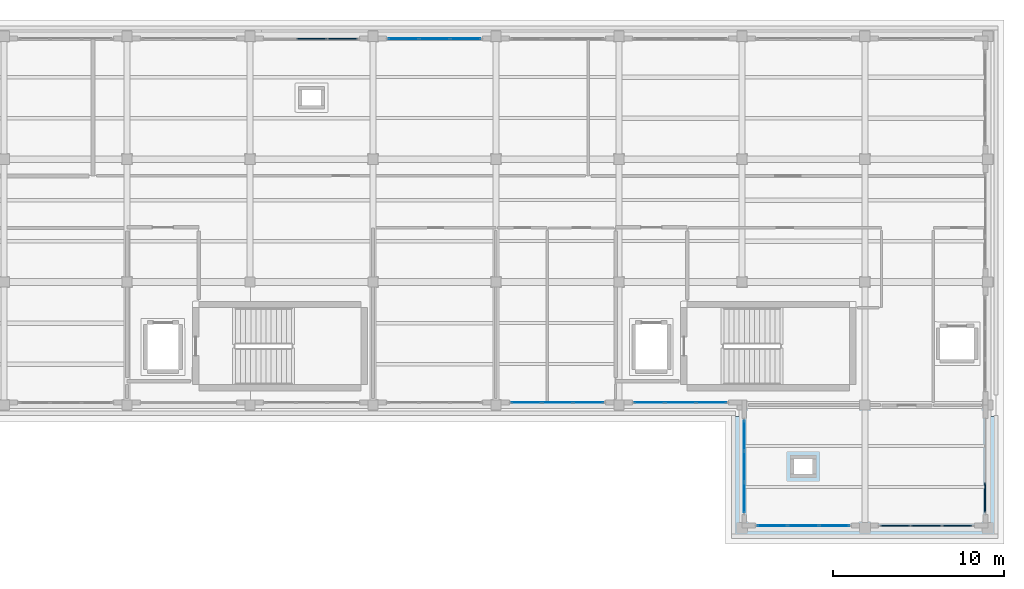
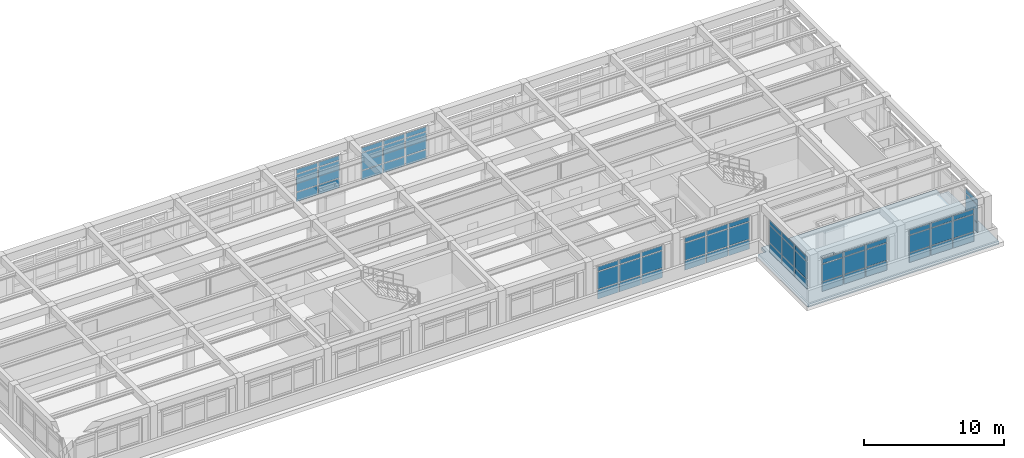
# One storey, part 12 of 19: 63 plates, 1 slab, 8 elements without a shape of their own.
"""IFC4 building model written with IfcOpenShell, lengths in metres."""

from ifc_helpers import new_model, si_unit, direction, frame, origin, origin_2d, place, context, subcontext, project, spatial, polyline, rectangle, outline, extrude, material, layer, layer_set, type_object, element, aggregate, save


model = new_model("IFC4")

# Units and contexts
model_context = context("Model", 3, precision=1e-05, world=origin(), true_north=direction((0.0, 1.0)))
body_context = subcontext(model_context, "Body", "Model", "MODEL_VIEW")
ifc_project = project(units=[si_unit("LENGTHUNIT", "METRE"), si_unit("AREAUNIT", "SQUARE_METRE"), si_unit("VOLUMEUNIT", "CUBIC_METRE"), si_unit("PLANEANGLEUNIT", "RADIAN"), si_unit("MASSUNIT", "GRAM", prefix="KILO")], contexts=[model_context])

# Site, building, storey
site_placement = place(None, origin())
site = spatial("IfcSite", under=ifc_project, at=site_placement, CompositionType="ELEMENT")
building_placement = place(site_placement, origin())
building = spatial("IfcBuilding", under=site, at=building_placement, Name="Solenvale Faculty of Natural Sciences", CompositionType="ELEMENT")
storey_placement = place(building_placement, frame((0.0, 0.0, 27.0)))
storey = spatial("IfcBuildingStorey", under=building, at=storey_placement, Name="L06", CompositionType="ELEMENT", Elevation=27.0)

# Curtain wall, plates
ifc_material_1 = material(Name="Anodised bronze aluminium", Category="aluminium")
ifc_layer_1 = layer(ifc_material_1, 0.179931640625)
ifc_layer_set_1 = layer_set([ifc_layer_1], Name="Anodised bronze aluminium")
curtain_wall_type = type_object("IfcCurtainWallType", Name="CW-TWR-MOD", PredefinedType="USERDEFINED", material=ifc_layer_set_1)
curtain_wall_1_placement = place(storey_placement, origin())
curtain_wall_1 = element("IfcCurtainWall", 1, at=curtain_wall_1_placement, inside=storey, type_object=curtain_wall_type, Name="L06 Curtain Wall CW-L06-P1-E4-B7", ObjectType="UNITISED CURTAIN WALL", PredefinedType="USERDEFINED")
ifc_material_2 = material(Name="Triple low-E insulated glass", Category="glass")
ifc_layer_2 = layer(ifc_material_2, 0.035888671875)
ifc_layer_set_2 = layer_set([ifc_layer_2], Name="Triple low-E insulated glass")
plate_type_1 = type_object("IfcPlateType", Name="CWP-PNL-36", PredefinedType="CURTAIN_PANEL", material=ifc_layer_set_2)
plate_1_placement = place(storey_placement, frame((124.185302734375, 93.742431640625, 0.074951171875), z_axis=(0.0, 0.0, 1.0), x_axis=(1.0, 0.0, 0.0)))
plate_1 = element("IfcPlate", 2, at=plate_1_placement, type_object=plate_type_1, Name="CW-04 panel 1.1", PredefinedType="CURTAIN_PANEL", context=body_context, shape_type="SweptSolid", body=[
    extrude(rectangle(XDim=1.720947265625, YDim=0.035888671875, at=origin_2d()), origin(), (0.0, 0.0, 1.0), 0.78759765625),
])
plate_2_placement = place(storey_placement, frame((124.185302734375, 93.742431640625, 0.9375), z_axis=(0.0, 0.0, 1.0), x_axis=(1.0, 0.0, 0.0)))
plate_2 = element("IfcPlate", 3, at=plate_2_placement, type_object=plate_type_1, Name="CW-04 panel 1.2", PredefinedType="CURTAIN_PANEL", context=body_context, shape_type="SweptSolid", body=[
    extrude(rectangle(XDim=1.720947265625, YDim=0.035888671875, at=origin_2d()), origin(), (0.0, 0.0, 1.0), 1.485107421875),
])
plate_3_placement = place(storey_placement, frame((124.185302734375, 93.742431640625, 2.49755859375), z_axis=(0.0, 0.0, 1.0), x_axis=(1.0, 0.0, 0.0)))
plate_3 = element("IfcPlate", 4, at=plate_3_placement, type_object=plate_type_1, Name="CW-04 panel 1.3", PredefinedType="CURTAIN_PANEL", context=body_context, shape_type="SweptSolid", body=[
    extrude(rectangle(XDim=1.720947265625, YDim=0.035888671875, at=origin_2d()), origin(), (0.0, 0.0, 1.0), 0.387451171875),
])
plate_4_placement = place(storey_placement, frame((126.0, 93.742431640625, 0.074951171875), z_axis=(0.0, 0.0, 1.0), x_axis=(1.0, 0.0, 0.0)))
plate_4 = element("IfcPlate", 5, at=plate_4_placement, type_object=plate_type_1, Name="CW-04 panel 2.1", PredefinedType="CURTAIN_PANEL", context=body_context, shape_type="SweptSolid", body=[
    extrude(rectangle(XDim=1.75830078125, YDim=0.035888671875, at=origin_2d()), origin(), (0.0, 0.0, 1.0), 0.78759765625),
])
plate_5_placement = place(storey_placement, frame((126.0, 93.742431640625, 0.9375), z_axis=(0.0, 0.0, 1.0), x_axis=(1.0, 0.0, 0.0)))
plate_5 = element("IfcPlate", 6, at=plate_5_placement, type_object=plate_type_1, Name="CW-04 panel 2.2", PredefinedType="CURTAIN_PANEL", context=body_context, shape_type="SweptSolid", body=[
    extrude(rectangle(XDim=1.75830078125, YDim=0.035888671875, at=origin_2d()), origin(), (0.0, 0.0, 1.0), 1.485107421875),
])
plate_6_placement = place(storey_placement, frame((126.0, 93.742431640625, 2.49755859375), z_axis=(0.0, 0.0, 1.0), x_axis=(1.0, 0.0, 0.0)))
plate_6 = element("IfcPlate", 7, at=plate_6_placement, type_object=plate_type_1, Name="CW-04 panel 2.3", PredefinedType="CURTAIN_PANEL", context=body_context, shape_type="SweptSolid", body=[
    extrude(rectangle(XDim=1.75830078125, YDim=0.035888671875, at=origin_2d()), origin(), (0.0, 0.0, 1.0), 0.387451171875),
])
plate_7_placement = place(storey_placement, frame((127.814697265625, 93.742431640625, 0.074951171875), z_axis=(0.0, 0.0, 1.0), x_axis=(1.0, 0.0, 0.0)))
plate_7 = element("IfcPlate", 8, at=plate_7_placement, type_object=plate_type_1, Name="CW-04 panel 3.1", PredefinedType="CURTAIN_PANEL", context=body_context, shape_type="SweptSolid", body=[
    extrude(rectangle(XDim=1.720947265625, YDim=0.035888671875, at=origin_2d()), origin(), (0.0, 0.0, 1.0), 0.78759765625),
])
plate_8_placement = place(storey_placement, frame((127.814697265625, 93.742431640625, 0.9375), z_axis=(0.0, 0.0, 1.0), x_axis=(1.0, 0.0, 0.0)))
plate_8 = element("IfcPlate", 9, at=plate_8_placement, type_object=plate_type_1, Name="CW-04 panel 3.2", PredefinedType="CURTAIN_PANEL", context=body_context, shape_type="SweptSolid", body=[
    extrude(rectangle(XDim=1.720947265625, YDim=0.035888671875, at=origin_2d()), origin(), (0.0, 0.0, 1.0), 1.485107421875),
])
plate_9_placement = place(storey_placement, frame((127.814697265625, 93.742431640625, 2.49755859375), z_axis=(0.0, 0.0, 1.0), x_axis=(1.0, 0.0, 0.0)))
plate_9 = element("IfcPlate", 10, at=plate_9_placement, type_object=plate_type_1, Name="CW-04 panel 3.3", PredefinedType="CURTAIN_PANEL", context=body_context, shape_type="SweptSolid", body=[
    extrude(rectangle(XDim=1.720947265625, YDim=0.035888671875, at=origin_2d()), origin(), (0.0, 0.0, 1.0), 0.387451171875),
])
aggregate(curtain_wall_1, [plate_1, plate_2, plate_3, plate_4, plate_5, plate_6, plate_7, plate_8, plate_9])

curtain_wall_2_placement = place(storey_placement, origin())
curtain_wall_2 = element("IfcCurtainWall", 11, at=curtain_wall_2_placement, inside=storey, type_object=curtain_wall_type, Name="L06 Curtain Wall CW-L06-P1-E4-B8", ObjectType="UNITISED CURTAIN WALL", PredefinedType="USERDEFINED")
ifc_layer_3 = layer(ifc_material_2, 0.0400390625)
ifc_layer_set_3 = layer_set([ifc_layer_3], Name="Triple low-E insulated glass")
plate_type_2 = type_object("IfcPlateType", Name="CWP-PNL-40", PredefinedType="CURTAIN_PANEL", material=ifc_layer_set_3)
plate_10_placement = place(storey_placement, frame((131.385498046875, 93.742431640625, 0.074951171875), z_axis=(0.0, 0.0, 1.0), x_axis=(1.0, 0.0, 0.0)))
plate_10 = element("IfcPlate", 12, at=plate_10_placement, type_object=plate_type_2, Name="CW-04 panel 1.1", PredefinedType="CURTAIN_PANEL", context=body_context, shape_type="SweptSolid", body=[
    extrude(rectangle(XDim=1.720947265625, YDim=0.0400390625, at=origin_2d()), origin(), (0.0, 0.0, 1.0), 0.78759765625),
])
plate_11_placement = place(storey_placement, frame((131.385498046875, 93.742431640625, 0.9375), z_axis=(0.0, 0.0, 1.0), x_axis=(1.0, 0.0, 0.0)))
plate_11 = element("IfcPlate", 13, at=plate_11_placement, type_object=plate_type_2, Name="CW-04 panel 1.2", PredefinedType="CURTAIN_PANEL", context=body_context, shape_type="SweptSolid", body=[
    extrude(rectangle(XDim=1.720947265625, YDim=0.0400390625, at=origin_2d()), origin(), (0.0, 0.0, 1.0), 1.485107421875),
])
plate_12_placement = place(storey_placement, frame((131.385498046875, 93.742431640625, 2.49755859375), z_axis=(0.0, 0.0, 1.0), x_axis=(1.0, 0.0, 0.0)))
plate_12 = element("IfcPlate", 14, at=plate_12_placement, type_object=plate_type_2, Name="CW-04 panel 1.3", PredefinedType="CURTAIN_PANEL", context=body_context, shape_type="SweptSolid", body=[
    extrude(rectangle(XDim=1.720947265625, YDim=0.0400390625, at=origin_2d()), origin(), (0.0, 0.0, 1.0), 0.387451171875),
])
plate_13_placement = place(storey_placement, frame((133.199951171875, 93.742431640625, 0.074951171875), z_axis=(0.0, 0.0, 1.0), x_axis=(1.0, 0.0, 0.0)))
plate_13 = element("IfcPlate", 15, at=plate_13_placement, type_object=plate_type_2, Name="CW-04 panel 2.1", PredefinedType="CURTAIN_PANEL", context=body_context, shape_type="SweptSolid", body=[
    extrude(rectangle(XDim=1.75830078125, YDim=0.0400390625, at=origin_2d()), origin(), (0.0, 0.0, 1.0), 0.78759765625),
])
plate_14_placement = place(storey_placement, frame((133.199951171875, 93.742431640625, 0.9375), z_axis=(0.0, 0.0, 1.0), x_axis=(1.0, 0.0, 0.0)))
plate_14 = element("IfcPlate", 16, at=plate_14_placement, type_object=plate_type_2, Name="CW-04 panel 2.2", PredefinedType="CURTAIN_PANEL", context=body_context, shape_type="SweptSolid", body=[
    extrude(rectangle(XDim=1.75830078125, YDim=0.0400390625, at=origin_2d()), origin(), (0.0, 0.0, 1.0), 1.485107421875),
])
plate_15_placement = place(storey_placement, frame((133.199951171875, 93.742431640625, 2.49755859375), z_axis=(0.0, 0.0, 1.0), x_axis=(1.0, 0.0, 0.0)))
plate_15 = element("IfcPlate", 17, at=plate_15_placement, type_object=plate_type_2, Name="CW-04 panel 2.3", PredefinedType="CURTAIN_PANEL", context=body_context, shape_type="SweptSolid", body=[
    extrude(rectangle(XDim=1.75830078125, YDim=0.0400390625, at=origin_2d()), origin(), (0.0, 0.0, 1.0), 0.387451171875),
])
plate_16_placement = place(storey_placement, frame((135.0146484375, 93.742431640625, 0.074951171875), z_axis=(0.0, 0.0, 1.0), x_axis=(1.0, 0.0, 0.0)))
plate_16 = element("IfcPlate", 18, at=plate_16_placement, type_object=plate_type_2, Name="CW-04 panel 3.1", PredefinedType="CURTAIN_PANEL", context=body_context, shape_type="SweptSolid", body=[
    extrude(rectangle(XDim=1.720947265625, YDim=0.0400390625, at=origin_2d()), origin(), (0.0, 0.0, 1.0), 0.78759765625),
])
plate_17_placement = place(storey_placement, frame((135.0146484375, 93.742431640625, 0.9375), z_axis=(0.0, 0.0, 1.0), x_axis=(1.0, 0.0, 0.0)))
plate_17 = element("IfcPlate", 19, at=plate_17_placement, type_object=plate_type_2, Name="CW-04 panel 3.2", PredefinedType="CURTAIN_PANEL", context=body_context, shape_type="SweptSolid", body=[
    extrude(rectangle(XDim=1.720947265625, YDim=0.0400390625, at=origin_2d()), origin(), (0.0, 0.0, 1.0), 1.485107421875),
])
plate_18_placement = place(storey_placement, frame((135.0146484375, 93.742431640625, 2.49755859375), z_axis=(0.0, 0.0, 1.0), x_axis=(1.0, 0.0, 0.0)))
plate_18 = element("IfcPlate", 20, at=plate_18_placement, type_object=plate_type_2, Name="CW-04 panel 3.3", PredefinedType="CURTAIN_PANEL", context=body_context, shape_type="SweptSolid", body=[
    extrude(rectangle(XDim=1.720947265625, YDim=0.0400390625, at=origin_2d()), origin(), (0.0, 0.0, 1.0), 0.387451171875),
])
aggregate(curtain_wall_2, [plate_10, plate_11, plate_12, plate_13, plate_14, plate_15, plate_16, plate_17, plate_18])

curtain_wall_3_placement = place(storey_placement, origin())
curtain_wall_3 = element("IfcCurtainWall", 21, at=curtain_wall_3_placement, inside=storey, type_object=curtain_wall_type, Name="L06 Curtain Wall CW-L06-P1-E5-B1", ObjectType="UNITISED CURTAIN WALL", PredefinedType="USERDEFINED")
ifc_layer_4 = layer(ifc_material_1, 0.048095703125)
ifc_layer_set_4 = layer_set([ifc_layer_4], Name="Anodised bronze aluminium")
plate_type_3 = type_object("IfcPlateType", Name="CWP-PNL-48", PredefinedType="CURTAIN_PANEL", material=ifc_layer_set_4)
plate_19_placement = place(storey_placement, frame((136.9423828125, 91.814697265625, 0.074951171875), z_axis=(0.0, 0.0, 1.0), x_axis=(0.0, -1.0, 0.0)))
plate_19 = element("IfcPlate", 22, at=plate_19_placement, type_object=plate_type_3, Name="CW-04 panel 1.1", PredefinedType="CURTAIN_PANEL", context=body_context, shape_type="SweptSolid", body=[
    extrude(rectangle(XDim=1.720947265625, YDim=0.048095703125, at=origin_2d()), origin(), (0.0, 0.0, 1.0), 0.78759765625),
])
plate_20_placement = place(storey_placement, frame((136.9423828125, 91.814697265625, 0.9375), z_axis=(0.0, 0.0, 1.0), x_axis=(0.0, -1.0, 0.0)))
plate_20 = element("IfcPlate", 23, at=plate_20_placement, type_object=plate_type_3, Name="CW-04 panel 1.2", PredefinedType="CURTAIN_PANEL", context=body_context, shape_type="SweptSolid", body=[
    extrude(rectangle(XDim=1.720947265625, YDim=0.048095703125, at=origin_2d()), origin(), (0.0, 0.0, 1.0), 1.485107421875),
])
plate_21_placement = place(storey_placement, frame((136.9423828125, 91.814697265625, 2.49755859375), z_axis=(0.0, 0.0, 1.0), x_axis=(0.0, -1.0, 0.0)))
plate_21 = element("IfcPlate", 24, at=plate_21_placement, type_object=plate_type_3, Name="CW-04 panel 1.3", PredefinedType="CURTAIN_PANEL", context=body_context, shape_type="SweptSolid", body=[
    extrude(rectangle(XDim=1.720947265625, YDim=0.048095703125, at=origin_2d()), origin(), (0.0, 0.0, 1.0), 0.387451171875),
])
plate_22_placement = place(storey_placement, frame((136.9423828125, 90.0, 0.074951171875), z_axis=(0.0, 0.0, 1.0), x_axis=(0.0, -1.0, 0.0)))
plate_22 = element("IfcPlate", 25, at=plate_22_placement, type_object=plate_type_3, Name="CW-04 panel 2.1", PredefinedType="CURTAIN_PANEL", context=body_context, shape_type="SweptSolid", body=[
    extrude(rectangle(XDim=1.75830078125, YDim=0.048095703125, at=origin_2d()), origin(), (0.0, 0.0, 1.0), 0.78759765625),
])
plate_23_placement = place(storey_placement, frame((136.9423828125, 90.0, 0.9375), z_axis=(0.0, 0.0, 1.0), x_axis=(0.0, -1.0, 0.0)))
plate_23 = element("IfcPlate", 26, at=plate_23_placement, type_object=plate_type_3, Name="CW-04 panel 2.2", PredefinedType="CURTAIN_PANEL", context=body_context, shape_type="SweptSolid", body=[
    extrude(rectangle(XDim=1.75830078125, YDim=0.048095703125, at=origin_2d()), origin(), (0.0, 0.0, 1.0), 1.485107421875),
])
plate_24_placement = place(storey_placement, frame((136.9423828125, 90.0, 2.49755859375), z_axis=(0.0, 0.0, 1.0), x_axis=(0.0, -1.0, 0.0)))
plate_24 = element("IfcPlate", 27, at=plate_24_placement, type_object=plate_type_3, Name="CW-04 panel 2.3", PredefinedType="CURTAIN_PANEL", context=body_context, shape_type="SweptSolid", body=[
    extrude(rectangle(XDim=1.75830078125, YDim=0.048095703125, at=origin_2d()), origin(), (0.0, 0.0, 1.0), 0.387451171875),
])
plate_25_placement = place(storey_placement, frame((136.9423828125, 88.185302734375, 0.074951171875), z_axis=(0.0, 0.0, 1.0), x_axis=(0.0, -1.0, 0.0)))
plate_25 = element("IfcPlate", 28, at=plate_25_placement, type_object=plate_type_3, Name="CW-04 panel 3.1", PredefinedType="CURTAIN_PANEL", context=body_context, shape_type="SweptSolid", body=[
    extrude(rectangle(XDim=1.720947265625, YDim=0.048095703125, at=origin_2d()), origin(), (0.0, 0.0, 1.0), 0.78759765625),
])
plate_26_placement = place(storey_placement, frame((136.9423828125, 88.185302734375, 0.9375), z_axis=(0.0, 0.0, 1.0), x_axis=(0.0, -1.0, 0.0)))
plate_26 = element("IfcPlate", 29, at=plate_26_placement, type_object=plate_type_3, Name="CW-04 panel 3.2", PredefinedType="CURTAIN_PANEL", context=body_context, shape_type="SweptSolid", body=[
    extrude(rectangle(XDim=1.720947265625, YDim=0.048095703125, at=origin_2d()), origin(), (0.0, 0.0, 1.0), 1.485107421875),
])
plate_27_placement = place(storey_placement, frame((136.9423828125, 88.185302734375, 2.49755859375), z_axis=(0.0, 0.0, 1.0), x_axis=(0.0, -1.0, 0.0)))
plate_27 = element("IfcPlate", 30, at=plate_27_placement, type_object=plate_type_3, Name="CW-04 panel 3.3", PredefinedType="CURTAIN_PANEL", context=body_context, shape_type="SweptSolid", body=[
    extrude(rectangle(XDim=1.720947265625, YDim=0.048095703125, at=origin_2d()), origin(), (0.0, 0.0, 1.0), 0.387451171875),
])
aggregate(curtain_wall_3, [plate_19, plate_20, plate_21, plate_22, plate_23, plate_24, plate_25, plate_26, plate_27])

curtain_wall_4_placement = place(storey_placement, origin())
curtain_wall_4 = element("IfcCurtainWall", 31, at=curtain_wall_4_placement, inside=storey, type_object=curtain_wall_type, Name="L06 Curtain Wall CW-L06-P1-E2-B5", ObjectType="UNITISED CURTAIN WALL", PredefinedType="USERDEFINED")
ifc_layer_5 = layer(ifc_material_1, 0.053955078125)
ifc_layer_set_5 = layer_set([ifc_layer_5], Name="Anodised bronze aluminium")
plate_type_4 = type_object("IfcPlateType", Name="CWP-PNL-54", PredefinedType="CURTAIN_PANEL", material=ifc_layer_set_5)
plate_28_placement = place(storey_placement, frame((120.614501953125, 115.0576171875, 0.074951171875), z_axis=(0.0, 0.0, 1.0), x_axis=(-1.0, 0.0, 0.0)))
plate_28 = element("IfcPlate", 32, at=plate_28_placement, type_object=plate_type_4, Name="CW-04 panel 1.1", PredefinedType="CURTAIN_PANEL", context=body_context, shape_type="SweptSolid", body=[
    extrude(rectangle(XDim=1.720947265625, YDim=0.053955078125, at=origin_2d()), origin(), (0.0, 0.0, 1.0), 0.78759765625),
])
plate_29_placement = place(storey_placement, frame((120.614501953125, 115.0576171875, 0.9375), z_axis=(0.0, 0.0, 1.0), x_axis=(-1.0, 0.0, 0.0)))
plate_29 = element("IfcPlate", 33, at=plate_29_placement, type_object=plate_type_4, Name="CW-04 panel 1.2", PredefinedType="CURTAIN_PANEL", context=body_context, shape_type="SweptSolid", body=[
    extrude(rectangle(XDim=1.720947265625, YDim=0.053955078125, at=origin_2d()), origin(), (0.0, 0.0, 1.0), 1.485107421875),
])
plate_30_placement = place(storey_placement, frame((120.614501953125, 115.0576171875, 2.49755859375), z_axis=(0.0, 0.0, 1.0), x_axis=(-1.0, 0.0, 0.0)))
plate_30 = element("IfcPlate", 34, at=plate_30_placement, type_object=plate_type_4, Name="CW-04 panel 1.3", PredefinedType="CURTAIN_PANEL", context=body_context, shape_type="SweptSolid", body=[
    extrude(rectangle(XDim=1.720947265625, YDim=0.053955078125, at=origin_2d()), origin(), (0.0, 0.0, 1.0), 0.387451171875),
])
plate_31_placement = place(storey_placement, frame((118.800048828125, 115.0576171875, 0.074951171875), z_axis=(0.0, 0.0, 1.0), x_axis=(-1.0, 0.0, 0.0)))
plate_31 = element("IfcPlate", 35, at=plate_31_placement, type_object=plate_type_4, Name="CW-04 panel 2.1", PredefinedType="CURTAIN_PANEL", context=body_context, shape_type="SweptSolid", body=[
    extrude(rectangle(XDim=1.75830078125, YDim=0.053955078125, at=origin_2d()), origin(), (0.0, 0.0, 1.0), 0.78759765625),
])
plate_32_placement = place(storey_placement, frame((118.800048828125, 115.0576171875, 0.9375), z_axis=(0.0, 0.0, 1.0), x_axis=(-1.0, 0.0, 0.0)))
plate_32 = element("IfcPlate", 36, at=plate_32_placement, type_object=plate_type_4, Name="CW-04 panel 2.2", PredefinedType="CURTAIN_PANEL", context=body_context, shape_type="SweptSolid", body=[
    extrude(rectangle(XDim=1.75830078125, YDim=0.053955078125, at=origin_2d()), origin(), (0.0, 0.0, 1.0), 1.485107421875),
])
plate_33_placement = place(storey_placement, frame((118.800048828125, 115.0576171875, 2.49755859375), z_axis=(0.0, 0.0, 1.0), x_axis=(-1.0, 0.0, 0.0)))
plate_33 = element("IfcPlate", 37, at=plate_33_placement, type_object=plate_type_4, Name="CW-04 panel 2.3", PredefinedType="CURTAIN_PANEL", context=body_context, shape_type="SweptSolid", body=[
    extrude(rectangle(XDim=1.75830078125, YDim=0.053955078125, at=origin_2d()), origin(), (0.0, 0.0, 1.0), 0.387451171875),
])
plate_34_placement = place(storey_placement, frame((116.9853515625, 115.0576171875, 0.074951171875), z_axis=(0.0, 0.0, 1.0), x_axis=(-1.0, 0.0, 0.0)))
plate_34 = element("IfcPlate", 38, at=plate_34_placement, type_object=plate_type_4, Name="CW-04 panel 3.1", PredefinedType="CURTAIN_PANEL", context=body_context, shape_type="SweptSolid", body=[
    extrude(rectangle(XDim=1.720947265625, YDim=0.053955078125, at=origin_2d()), origin(), (0.0, 0.0, 1.0), 0.78759765625),
])
plate_35_placement = place(storey_placement, frame((116.9853515625, 115.0576171875, 0.9375), z_axis=(0.0, 0.0, 1.0), x_axis=(-1.0, 0.0, 0.0)))
plate_35 = element("IfcPlate", 39, at=plate_35_placement, type_object=plate_type_4, Name="CW-04 panel 3.2", PredefinedType="CURTAIN_PANEL", context=body_context, shape_type="SweptSolid", body=[
    extrude(rectangle(XDim=1.720947265625, YDim=0.053955078125, at=origin_2d()), origin(), (0.0, 0.0, 1.0), 1.485107421875),
])
plate_36_placement = place(storey_placement, frame((116.9853515625, 115.0576171875, 2.49755859375), z_axis=(0.0, 0.0, 1.0), x_axis=(-1.0, 0.0, 0.0)))
plate_36 = element("IfcPlate", 40, at=plate_36_placement, type_object=plate_type_4, Name="CW-04 panel 3.3", PredefinedType="CURTAIN_PANEL", context=body_context, shape_type="SweptSolid", body=[
    extrude(rectangle(XDim=1.720947265625, YDim=0.053955078125, at=origin_2d()), origin(), (0.0, 0.0, 1.0), 0.387451171875),
])
aggregate(curtain_wall_4, [plate_28, plate_29, plate_30, plate_31, plate_32, plate_33, plate_34, plate_35, plate_36])

curtain_wall_5_placement = place(storey_placement, origin())
curtain_wall_5 = element("IfcCurtainWall", 41, at=curtain_wall_5_placement, inside=storey, type_object=curtain_wall_type, Name="L06 Curtain Wall CW-L06-P1-E6-B1", ObjectType="UNITISED CURTAIN WALL", PredefinedType="USERDEFINED")
plate_37_placement = place(storey_placement, frame((138.58544921875, 86.54248046875, 0.074951171875), z_axis=(0.0, 0.0, 1.0), x_axis=(1.0, 0.0, 0.0)))
plate_37 = element("IfcPlate", 42, at=plate_37_placement, type_object=plate_type_4, Name="CW-04 panel 1.1", PredefinedType="CURTAIN_PANEL", context=body_context, shape_type="SweptSolid", body=[
    extrude(rectangle(XDim=1.720947265625, YDim=0.053955078125, at=origin_2d()), origin(), (0.0, 0.0, 1.0), 0.78759765625),
])
plate_38_placement = place(storey_placement, frame((138.58544921875, 86.54248046875, 0.9375), z_axis=(0.0, 0.0, 1.0), x_axis=(1.0, 0.0, 0.0)))
plate_38 = element("IfcPlate", 43, at=plate_38_placement, type_object=plate_type_4, Name="CW-04 panel 1.2", PredefinedType="CURTAIN_PANEL", context=body_context, shape_type="SweptSolid", body=[
    extrude(rectangle(XDim=1.720947265625, YDim=0.053955078125, at=origin_2d()), origin(), (0.0, 0.0, 1.0), 1.485107421875),
])
plate_39_placement = place(storey_placement, frame((138.58544921875, 86.54248046875, 2.49755859375), z_axis=(0.0, 0.0, 1.0), x_axis=(1.0, 0.0, 0.0)))
plate_39 = element("IfcPlate", 44, at=plate_39_placement, type_object=plate_type_4, Name="CW-04 panel 1.3", PredefinedType="CURTAIN_PANEL", context=body_context, shape_type="SweptSolid", body=[
    extrude(rectangle(XDim=1.720947265625, YDim=0.053955078125, at=origin_2d()), origin(), (0.0, 0.0, 1.0), 0.387451171875),
])
plate_40_placement = place(storey_placement, frame((140.39990234375, 86.54248046875, 0.074951171875), z_axis=(0.0, 0.0, 1.0), x_axis=(1.0, 0.0, 0.0)))
plate_40 = element("IfcPlate", 45, at=plate_40_placement, type_object=plate_type_4, Name="CW-04 panel 2.1", PredefinedType="CURTAIN_PANEL", context=body_context, shape_type="SweptSolid", body=[
    extrude(rectangle(XDim=1.75830078125, YDim=0.053955078125, at=origin_2d()), origin(), (0.0, 0.0, 1.0), 0.78759765625),
])
plate_41_placement = place(storey_placement, frame((140.39990234375, 86.54248046875, 0.9375), z_axis=(0.0, 0.0, 1.0), x_axis=(1.0, 0.0, 0.0)))
plate_41 = element("IfcPlate", 46, at=plate_41_placement, type_object=plate_type_4, Name="CW-04 panel 2.2", PredefinedType="CURTAIN_PANEL", context=body_context, shape_type="SweptSolid", body=[
    extrude(rectangle(XDim=1.75830078125, YDim=0.053955078125, at=origin_2d()), origin(), (0.0, 0.0, 1.0), 1.485107421875),
])
plate_42_placement = place(storey_placement, frame((140.39990234375, 86.54248046875, 2.49755859375), z_axis=(0.0, 0.0, 1.0), x_axis=(1.0, 0.0, 0.0)))
plate_42 = element("IfcPlate", 47, at=plate_42_placement, type_object=plate_type_4, Name="CW-04 panel 2.3", PredefinedType="CURTAIN_PANEL", context=body_context, shape_type="SweptSolid", body=[
    extrude(rectangle(XDim=1.75830078125, YDim=0.053955078125, at=origin_2d()), origin(), (0.0, 0.0, 1.0), 0.387451171875),
])
plate_43_placement = place(storey_placement, frame((142.214599609375, 86.54248046875, 0.074951171875), z_axis=(0.0, 0.0, 1.0), x_axis=(1.0, 0.0, 0.0)))
plate_43 = element("IfcPlate", 48, at=plate_43_placement, type_object=plate_type_4, Name="CW-04 panel 3.1", PredefinedType="CURTAIN_PANEL", context=body_context, shape_type="SweptSolid", body=[
    extrude(rectangle(XDim=1.720947265625, YDim=0.053955078125, at=origin_2d()), origin(), (0.0, 0.0, 1.0), 0.78759765625),
])
plate_44_placement = place(storey_placement, frame((142.214599609375, 86.54248046875, 0.9375), z_axis=(0.0, 0.0, 1.0), x_axis=(1.0, 0.0, 0.0)))
plate_44 = element("IfcPlate", 49, at=plate_44_placement, type_object=plate_type_4, Name="CW-04 panel 3.2", PredefinedType="CURTAIN_PANEL", context=body_context, shape_type="SweptSolid", body=[
    extrude(rectangle(XDim=1.720947265625, YDim=0.053955078125, at=origin_2d()), origin(), (0.0, 0.0, 1.0), 1.485107421875),
])
plate_45_placement = place(storey_placement, frame((142.214599609375, 86.54248046875, 2.49755859375), z_axis=(0.0, 0.0, 1.0), x_axis=(1.0, 0.0, 0.0)))
plate_45 = element("IfcPlate", 50, at=plate_45_placement, type_object=plate_type_4, Name="CW-04 panel 3.3", PredefinedType="CURTAIN_PANEL", context=body_context, shape_type="SweptSolid", body=[
    extrude(rectangle(XDim=1.720947265625, YDim=0.053955078125, at=origin_2d()), origin(), (0.0, 0.0, 1.0), 0.387451171875),
])
aggregate(curtain_wall_5, [plate_37, plate_38, plate_39, plate_40, plate_41, plate_42, plate_43, plate_44, plate_45])

curtain_wall_6_placement = place(storey_placement, origin())
curtain_wall_6 = element("IfcCurtainWall", 51, at=curtain_wall_6_placement, inside=storey, type_object=curtain_wall_type, Name="L06 Curtain Wall CW-L06-P1-E2-B6", ObjectType="UNITISED CURTAIN WALL", PredefinedType="USERDEFINED")
ifc_layer_6 = layer(ifc_material_1, 0.06005859375)
ifc_layer_set_6 = layer_set([ifc_layer_6], Name="Anodised bronze aluminium")
plate_type_5 = type_object("IfcPlateType", Name="CWP-PNL-60", PredefinedType="CURTAIN_PANEL", material=ifc_layer_set_6)
plate_46_placement = place(storey_placement, frame((113.41455078125, 115.0576171875, 0.074951171875), z_axis=(0.0, 0.0, 1.0), x_axis=(-1.0, 0.0, 0.0)))
plate_46 = element("IfcPlate", 52, at=plate_46_placement, type_object=plate_type_5, Name="CW-04 panel 1.1", PredefinedType="CURTAIN_PANEL", context=body_context, shape_type="SweptSolid", body=[
    extrude(rectangle(XDim=1.720947265625, YDim=0.06005859375, at=origin_2d()), origin(), (0.0, 0.0, 1.0), 0.78759765625),
])
plate_47_placement = place(storey_placement, frame((113.41455078125, 115.0576171875, 0.9375), z_axis=(0.0, 0.0, 1.0), x_axis=(-1.0, 0.0, 0.0)))
plate_47 = element("IfcPlate", 53, at=plate_47_placement, type_object=plate_type_5, Name="CW-04 panel 1.2", PredefinedType="CURTAIN_PANEL", context=body_context, shape_type="SweptSolid", body=[
    extrude(rectangle(XDim=1.720947265625, YDim=0.06005859375, at=origin_2d()), origin(), (0.0, 0.0, 1.0), 1.485107421875),
])
plate_48_placement = place(storey_placement, frame((113.41455078125, 115.0576171875, 2.49755859375), z_axis=(0.0, 0.0, 1.0), x_axis=(-1.0, 0.0, 0.0)))
plate_48 = element("IfcPlate", 54, at=plate_48_placement, type_object=plate_type_5, Name="CW-04 panel 1.3", PredefinedType="CURTAIN_PANEL", context=body_context, shape_type="SweptSolid", body=[
    extrude(rectangle(XDim=1.720947265625, YDim=0.06005859375, at=origin_2d()), origin(), (0.0, 0.0, 1.0), 0.387451171875),
])
plate_49_placement = place(storey_placement, frame((111.60009765625, 115.0576171875, 0.074951171875), z_axis=(0.0, 0.0, 1.0), x_axis=(-1.0, 0.0, 0.0)))
plate_49 = element("IfcPlate", 55, at=plate_49_placement, type_object=plate_type_5, Name="CW-04 panel 2.1", PredefinedType="CURTAIN_PANEL", context=body_context, shape_type="SweptSolid", body=[
    extrude(rectangle(XDim=1.75830078125, YDim=0.06005859375, at=origin_2d()), origin(), (0.0, 0.0, 1.0), 0.78759765625),
])
plate_50_placement = place(storey_placement, frame((111.60009765625, 115.0576171875, 0.9375), z_axis=(0.0, 0.0, 1.0), x_axis=(-1.0, 0.0, 0.0)))
plate_50 = element("IfcPlate", 56, at=plate_50_placement, type_object=plate_type_5, Name="CW-04 panel 2.2", PredefinedType="CURTAIN_PANEL", context=body_context, shape_type="SweptSolid", body=[
    extrude(rectangle(XDim=1.75830078125, YDim=0.06005859375, at=origin_2d()), origin(), (0.0, 0.0, 1.0), 1.485107421875),
])
plate_51_placement = place(storey_placement, frame((111.60009765625, 115.0576171875, 2.49755859375), z_axis=(0.0, 0.0, 1.0), x_axis=(-1.0, 0.0, 0.0)))
plate_51 = element("IfcPlate", 57, at=plate_51_placement, type_object=plate_type_5, Name="CW-04 panel 2.3", PredefinedType="CURTAIN_PANEL", context=body_context, shape_type="SweptSolid", body=[
    extrude(rectangle(XDim=1.75830078125, YDim=0.06005859375, at=origin_2d()), origin(), (0.0, 0.0, 1.0), 0.387451171875),
])
aggregate(curtain_wall_6, [plate_46, plate_47, plate_48, plate_49, plate_50, plate_51])

curtain_wall_7_placement = place(storey_placement, origin())
curtain_wall_7 = element("IfcCurtainWall", 58, at=curtain_wall_7_placement, inside=storey, type_object=curtain_wall_type, Name="L06 Curtain Wall CW-L06-P1-E6-B2", ObjectType="UNITISED CURTAIN WALL", PredefinedType="USERDEFINED")
plate_52_placement = place(storey_placement, frame((145.785400390625, 86.54248046875, 0.074951171875), z_axis=(0.0, 0.0, 1.0), x_axis=(1.0, 0.0, 0.0)))
plate_52 = element("IfcPlate", 59, at=plate_52_placement, type_object=plate_type_5, Name="CW-04 panel 1.1", PredefinedType="CURTAIN_PANEL", context=body_context, shape_type="SweptSolid", body=[
    extrude(rectangle(XDim=1.720947265625, YDim=0.06005859375, at=origin_2d()), origin(), (0.0, 0.0, 1.0), 0.78759765625),
])
plate_53_placement = place(storey_placement, frame((145.785400390625, 86.54248046875, 0.9375), z_axis=(0.0, 0.0, 1.0), x_axis=(1.0, 0.0, 0.0)))
plate_53 = element("IfcPlate", 60, at=plate_53_placement, type_object=plate_type_5, Name="CW-04 panel 1.2", PredefinedType="CURTAIN_PANEL", context=body_context, shape_type="SweptSolid", body=[
    extrude(rectangle(XDim=1.720947265625, YDim=0.06005859375, at=origin_2d()), origin(), (0.0, 0.0, 1.0), 1.485107421875),
])
plate_54_placement = place(storey_placement, frame((145.785400390625, 86.54248046875, 2.49755859375), z_axis=(0.0, 0.0, 1.0), x_axis=(1.0, 0.0, 0.0)))
plate_54 = element("IfcPlate", 61, at=plate_54_placement, type_object=plate_type_5, Name="CW-04 panel 1.3", PredefinedType="CURTAIN_PANEL", context=body_context, shape_type="SweptSolid", body=[
    extrude(rectangle(XDim=1.720947265625, YDim=0.06005859375, at=origin_2d()), origin(), (0.0, 0.0, 1.0), 0.387451171875),
])
plate_55_placement = place(storey_placement, frame((147.60009765625, 86.54248046875, 0.074951171875), z_axis=(0.0, 0.0, 1.0), x_axis=(1.0, 0.0, 0.0)))
plate_55 = element("IfcPlate", 62, at=plate_55_placement, type_object=plate_type_5, Name="CW-04 panel 2.1", PredefinedType="CURTAIN_PANEL", context=body_context, shape_type="SweptSolid", body=[
    extrude(rectangle(XDim=1.75830078125, YDim=0.06005859375, at=origin_2d()), origin(), (0.0, 0.0, 1.0), 0.78759765625),
])
plate_56_placement = place(storey_placement, frame((147.60009765625, 86.54248046875, 0.9375), z_axis=(0.0, 0.0, 1.0), x_axis=(1.0, 0.0, 0.0)))
plate_56 = element("IfcPlate", 63, at=plate_56_placement, type_object=plate_type_5, Name="CW-04 panel 2.2", PredefinedType="CURTAIN_PANEL", context=body_context, shape_type="SweptSolid", body=[
    extrude(rectangle(XDim=1.75830078125, YDim=0.06005859375, at=origin_2d()), origin(), (0.0, 0.0, 1.0), 1.485107421875),
])
plate_57_placement = place(storey_placement, frame((147.60009765625, 86.54248046875, 2.49755859375), z_axis=(0.0, 0.0, 1.0), x_axis=(1.0, 0.0, 0.0)))
plate_57 = element("IfcPlate", 64, at=plate_57_placement, type_object=plate_type_5, Name="CW-04 panel 2.3", PredefinedType="CURTAIN_PANEL", context=body_context, shape_type="SweptSolid", body=[
    extrude(rectangle(XDim=1.75830078125, YDim=0.06005859375, at=origin_2d()), origin(), (0.0, 0.0, 1.0), 0.387451171875),
])
plate_58_placement = place(storey_placement, frame((149.41455078125, 86.54248046875, 0.074951171875), z_axis=(0.0, 0.0, 1.0), x_axis=(1.0, 0.0, 0.0)))
plate_58 = element("IfcPlate", 65, at=plate_58_placement, type_object=plate_type_5, Name="CW-04 panel 3.1", PredefinedType="CURTAIN_PANEL", context=body_context, shape_type="SweptSolid", body=[
    extrude(rectangle(XDim=1.720947265625, YDim=0.06005859375, at=origin_2d()), origin(), (0.0, 0.0, 1.0), 0.78759765625),
])
plate_59_placement = place(storey_placement, frame((149.41455078125, 86.54248046875, 0.9375), z_axis=(0.0, 0.0, 1.0), x_axis=(1.0, 0.0, 0.0)))
plate_59 = element("IfcPlate", 66, at=plate_59_placement, type_object=plate_type_5, Name="CW-04 panel 3.2", PredefinedType="CURTAIN_PANEL", context=body_context, shape_type="SweptSolid", body=[
    extrude(rectangle(XDim=1.720947265625, YDim=0.06005859375, at=origin_2d()), origin(), (0.0, 0.0, 1.0), 1.485107421875),
])
plate_60_placement = place(storey_placement, frame((149.41455078125, 86.54248046875, 2.49755859375), z_axis=(0.0, 0.0, 1.0), x_axis=(1.0, 0.0, 0.0)))
plate_60 = element("IfcPlate", 67, at=plate_60_placement, type_object=plate_type_5, Name="CW-04 panel 3.3", PredefinedType="CURTAIN_PANEL", context=body_context, shape_type="SweptSolid", body=[
    extrude(rectangle(XDim=1.720947265625, YDim=0.06005859375, at=origin_2d()), origin(), (0.0, 0.0, 1.0), 0.387451171875),
])
aggregate(curtain_wall_7, [plate_52, plate_53, plate_54, plate_55, plate_56, plate_57, plate_58, plate_59, plate_60])

curtain_wall_8_placement = place(storey_placement, origin())
curtain_wall_8 = element("IfcCurtainWall", 68, at=curtain_wall_8_placement, inside=storey, type_object=curtain_wall_type, Name="L06 Curtain Wall CW-L06-P1-E7-B1", ObjectType="UNITISED CURTAIN WALL", PredefinedType="USERDEFINED")
plate_61_placement = place(storey_placement, frame((151.0576171875, 88.185302734375, 0.074951171875), z_axis=(0.0, 0.0, 1.0), x_axis=(0.0, 1.0, 0.0)))
plate_61 = element("IfcPlate", 69, at=plate_61_placement, type_object=plate_type_5, Name="CW-04 panel 1.1", PredefinedType="CURTAIN_PANEL", context=body_context, shape_type="SweptSolid", body=[
    extrude(rectangle(XDim=1.720947265625, YDim=0.06005859375, at=origin_2d()), origin(), (0.0, 0.0, 1.0), 0.78759765625),
])
plate_62_placement = place(storey_placement, frame((151.0576171875, 88.185302734375, 0.9375), z_axis=(0.0, 0.0, 1.0), x_axis=(0.0, 1.0, 0.0)))
plate_62 = element("IfcPlate", 70, at=plate_62_placement, type_object=plate_type_5, Name="CW-04 panel 1.2", PredefinedType="CURTAIN_PANEL", context=body_context, shape_type="SweptSolid", body=[
    extrude(rectangle(XDim=1.720947265625, YDim=0.06005859375, at=origin_2d()), origin(), (0.0, 0.0, 1.0), 1.485107421875),
])
plate_63_placement = place(storey_placement, frame((151.0576171875, 88.185302734375, 2.49755859375), z_axis=(0.0, 0.0, 1.0), x_axis=(0.0, 1.0, 0.0)))
plate_63 = element("IfcPlate", 71, at=plate_63_placement, type_object=plate_type_5, Name="CW-04 panel 1.3", PredefinedType="CURTAIN_PANEL", context=body_context, shape_type="SweptSolid", body=[
    extrude(rectangle(XDim=1.720947265625, YDim=0.06005859375, at=origin_2d()), origin(), (0.0, 0.0, 1.0), 0.387451171875),
])
aggregate(curtain_wall_8, [plate_61, plate_62, plate_63])

# Slab
ifc_material_3 = material(Name="Concrete 40 MPa", Category="concrete")
ifc_layer_7 = layer(ifc_material_3, 0.280029296875)
ifc_layer_set_7 = layer_set([ifc_layer_7], Name="Concrete 40 MPa")
slab_type = type_object("IfcSlabType", Name="SL-FLR-280", PredefinedType="FLOOR", material=ifc_layer_set_7)
slab_placement = place(storey_placement, frame((0.0, 0.0, -0.280029296875)))
element("IfcSlab", 72, at=slab_placement, inside=storey, type_object=slab_type, Name="L06 V5E Floor Slab 1.1", PredefinedType="FLOOR", context=body_context, shape_type="SweptSolid", body=[
    extrude(outline(polyline([(136.14501953125, 85.719970703125), (136.127197265625, 85.727294921875), (136.1201171875, 85.7451171875), (136.1201171875, 92.8974609375), (136.129150390625, 92.914306640625), (136.14501953125, 92.919921875), (136.780029296875, 92.919921875), (136.780029296875, 93.544921875), (136.79541015625, 93.568115234375), (151.195068359375, 93.570068359375), (151.212646484375, 93.562744140625), (151.219970703125, 93.544921875), (151.219970703125, 92.919921875), (151.85498046875, 92.919921875), (151.878173828125, 92.904541015625), (151.8798828125, 85.7451171875), (151.864501953125, 85.721923828125), (136.14501953125, 85.719970703125)]), holes=[polyline([(139.85009765625, 89.550048828125), (140.949951171875, 89.550048828125), (140.949951171875, 90.449951171875), (139.85009765625, 90.449951171875), (139.85009765625, 89.550048828125)])]), origin(), (0.0, 0.0, 1.0), 0.280029296875),
])

save(model, "model.ifc")
